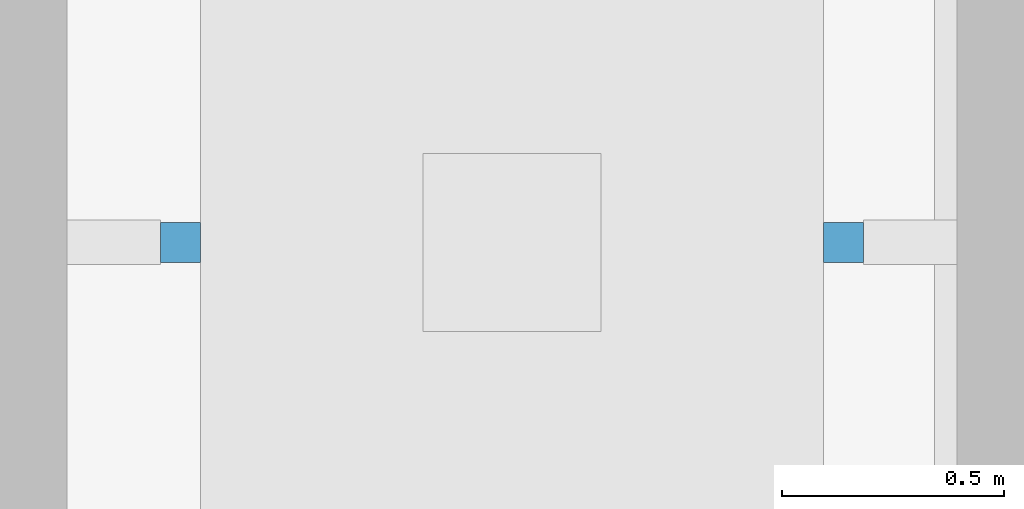
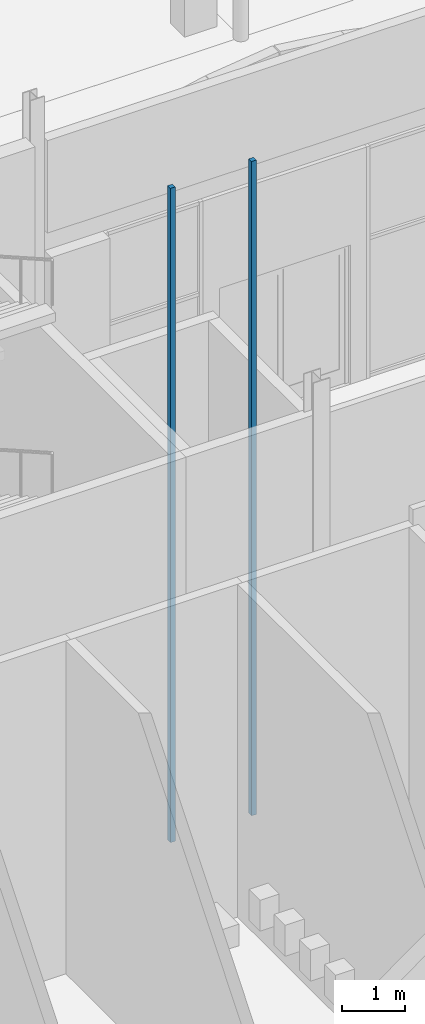
# One storey, part 153 of 250: 2 discrete accessories.
"""IFC4 building model written with IfcOpenShell, lengths in metres."""

import ifcopenshell
import ifcopenshell.guid

model = None  # the IFC model being written
_history = None  # IfcOwnerHistory: only IFC2X3 demands one
_inside = {}  # id of a spatial element -> (the spatial element, [elements in it])
_under = {}  # id of a project, library or spatial element -> (it, [spatial elements below it])
_declared = {}  # id of a project -> (the project, [libraries it declares])
_typed = {}  # id of a type object -> (the type object, [elements of that type])
_made_of = {}  # id of a material, layer set ... -> (it, [elements and type objects made of it])


def new_model(schema):
    """Start an empty IFC model of exactly this schema.

    Asked for "IFC4X3", IfcOpenShell would pick the latest addendum, in which some entities
    have other attributes; the version numbers below select the first issue.
    IFC2X3 requires an IfcOwnerHistory on every rooted entity: one is made here for all.
    """
    global model, _history
    if schema == "IFC4X3":
        model = ifcopenshell.file(schema_version=(4, 3, 0, 0))
    else:
        model = ifcopenshell.file(schema=schema)
    _inside.clear()
    _under.clear()
    _declared.clear()
    _typed.clear()
    _made_of.clear()
    _history = None
    if model.schema == "IFC2X3":
        org = make("IfcOrganization", Name="unknown")
        user = make(
            "IfcPersonAndOrganization",
            ThePerson=make("IfcPerson", FamilyName="unknown"),
            TheOrganization=org,
        )
        app = make(
            "IfcApplication",
            ApplicationDeveloper=org,
            Version="unknown",
            ApplicationFullName="unknown",
            ApplicationIdentifier="unknown",
        )
        _history = make(
            "IfcOwnerHistory",
            OwningUser=user,
            OwningApplication=app,
            ChangeAction="ADDED",
            CreationDate=0,
        )
    return model


def make(cls, **values):
    """One entity of the class cls with the attributes given. An attribute that is None is left unset."""
    return model.create_entity(
        cls, **{name: value for name, value in values.items() if value is not None}
    )


def rooted(cls, **values):
    """An entity with a GlobalId (a new one), such as an element, a storey or a relation."""
    return make(cls, GlobalId=ifcopenshell.guid.new(), OwnerHistory=_history, **values)


def si_unit(unit_type, name, prefix=None):
    """IfcSIUnit, for example si_unit("LENGTHUNIT", "METRE", prefix="MILLI")."""
    return make("IfcSIUnit", UnitType=unit_type, Prefix=prefix, Name=name)


def assignment(units):
    """IfcUnitAssignment: the units of a project."""
    return None if units is None else make("IfcUnitAssignment", Units=units)


def point(xyz):
    """IfcCartesianPoint."""
    return None if xyz is None else make("IfcCartesianPoint", Coordinates=xyz)


def direction(xyz):
    """IfcDirection."""
    return None if xyz is None else make("IfcDirection", DirectionRatios=xyz)


def frame(location, z_axis=None, x_axis=None):
    """IfcAxis2Placement3D, a coordinate frame: its origin and axes. An axis left out is left unset."""
    return make(
        "IfcAxis2Placement3D",
        Location=point(location),
        Axis=direction(z_axis),
        RefDirection=direction(x_axis),
    )


def frame_2d(location, x_axis=None):
    """IfcAxis2Placement2D, a coordinate frame in the plane: its origin and x axis."""
    return make(
        "IfcAxis2Placement2D", Location=point(location), RefDirection=direction(x_axis)
    )


def origin():
    """The frame at (0, 0, 0) with its axes left unset."""
    return frame((0.0, 0.0, 0.0))


def origin_2d():
    """The frame at (0, 0) in the plane with its x axis left unset."""
    return frame_2d((0.0, 0.0))


def place(relative_to, where):
    """IfcLocalPlacement: puts the frame where relative to a parent placement (None: the world)."""
    return make(
        "IfcLocalPlacement", PlacementRelTo=relative_to, RelativePlacement=where
    )


def context(
    kind, dimensions, precision=None, world=None, true_north=None, identifier=None
):
    """IfcGeometricRepresentationContext, for example the 3D "Model" context."""
    return make(
        "IfcGeometricRepresentationContext",
        ContextIdentifier=identifier,
        ContextType=kind,
        CoordinateSpaceDimension=dimensions,
        Precision=precision,
        WorldCoordinateSystem=world,
        TrueNorth=true_north,
    )


def subcontext(parent, identifier, kind, view, scale=None):
    """IfcGeometricRepresentationSubContext, for example "Body" below "Model"."""
    return make(
        "IfcGeometricRepresentationSubContext",
        ContextIdentifier=identifier,
        ContextType=kind,
        ParentContext=parent,
        TargetScale=scale,
        TargetView=view,
    )


def project(units=None, contexts=None):
    """IfcProject with its units and contexts."""
    return rooted(
        "IfcProject",
        Name="project",
        RepresentationContexts=contexts,
        UnitsInContext=assignment(units),
    )


def spatial(cls, under=None, at=None, **own):
    """A site, building, storey or space (cls), placed at a placement, below another one or the project."""
    s = rooted(cls, ObjectPlacement=at, **own)
    if under is not None:
        _under.setdefault(under.id(), (under, []))[1].append(s)
    return s


def profile(cls, at=None, kind="AREA", **sizes):
    """A parametric profile (cls). Its sizes go by their IFC names, for example OverallWidth=200.0."""
    return make(cls, ProfileType=kind, Position=at, **sizes)


def rectangle(**sizes):
    """IfcRectangleProfileDef."""
    return profile("IfcRectangleProfileDef", **sizes)


def extrude(swept, where, along, depth):
    """IfcExtrudedAreaSolid: the profile swept, set in the frame where, extruded along a direction by depth."""
    return make(
        "IfcExtrudedAreaSolid",
        SweptArea=swept,
        Position=where,
        ExtrudedDirection=direction(along),
        Depth=depth,
    )


def shape(context_of_items, identifier, shape_type, items):
    """IfcShapeRepresentation: the items that make up one representation, for example the "Body"."""
    return make(
        "IfcShapeRepresentation",
        ContextOfItems=context_of_items,
        RepresentationIdentifier=identifier,
        RepresentationType=shape_type,
        Items=items,
    )


def material(Name=None, Category=None):
    """IfcMaterial."""
    return make("IfcMaterial", Name=Name, Category=Category)


def made_of(thing, what):
    """Note that an element or type object is made of a material, layer set ...; save() writes the relation."""
    if what is not None:
        _made_of.setdefault(what.id(), (what, []))[1].append(thing)
    return thing


def type_object(cls, material=None, **own):
    """A type object (cls), such as IfcWallType, which elements share."""
    return made_of(rooted(cls, **own), material)


def element(
    cls,
    number,
    at=None,
    inside=None,
    cuts=None,
    type_object=None,
    material=None,
    context=None,
    identifier="Body",
    shape_type=None,
    held_by="IfcProductDefinitionShape",
    body=None,
    shapes=None,
    **own,
):
    """One element of the class cls, such as IfcWall. Its Tag is "e" and its number.

    at: its placement. inside: the storey or other place that contains it. cuts: it is an
    opening in that element (IfcRelVoidsElement). A single representation is given by context,
    identifier, shape_type and body (its items); several are given by shapes. held_by: the class
    of the entity that holds the representations. save() writes the other relations.
    """
    e = rooted(cls, Tag="e%d" % number, ObjectPlacement=at, **own)
    if body is not None:
        shapes = [shape(context, identifier, shape_type, body)]
    if shapes is not None:
        e.Representation = make(held_by, Representations=shapes)
    if inside is not None:
        _inside.setdefault(inside.id(), (inside, []))[1].append(e)
    if cuts is not None:
        rooted(
            "IfcRelVoidsElement", RelatingBuildingElement=cuts, RelatedOpeningElement=e
        )
    if type_object is not None:
        _typed.setdefault(type_object.id(), (type_object, []))[1].append(e)
    return made_of(e, material)


def aggregate(whole, parts):
    """IfcRelAggregates: a whole, such as a stair, and the parts it consists of."""
    return rooted("IfcRelAggregates", RelatingObject=whole, RelatedObjects=parts)


def save(model, path):
    """Write the relations noted so far, then the file.

    IfcRelAggregates (storeys below a building ...), IfcRelContainedInSpatialStructure (elements
    in a storey), IfcRelDefinesByType, IfcRelAssociatesMaterial and IfcRelDeclares: one each for
    every whole, place, type object, material and project.
    """
    for whole, parts in _under.values():
        aggregate(whole, parts)
    for where, things in _inside.values():
        rooted(
            "IfcRelContainedInSpatialStructure",
            RelatedElements=things,
            RelatingStructure=where,
        )
    for kind, things in _typed.values():
        rooted("IfcRelDefinesByType", RelatedObjects=things, RelatingType=kind)
    for what, things in _made_of.values():
        rooted("IfcRelAssociatesMaterial", RelatedObjects=things, RelatingMaterial=what)
    for by, libraries in _declared.values():
        rooted("IfcRelDeclares", RelatingContext=by, RelatedDefinitions=libraries)
    model.write(path)


model = new_model("IFC4")

# Units and contexts
model_context = context("Model", 3, precision=1e-05, world=origin(), true_north=direction((0.0, 1.0)))
body_context = subcontext(model_context, "Body", "Model", "MODEL_VIEW")
ifc_project = project(units=[si_unit("LENGTHUNIT", "METRE"), si_unit("AREAUNIT", "SQUARE_METRE"), si_unit("VOLUMEUNIT", "CUBIC_METRE"), si_unit("PLANEANGLEUNIT", "RADIAN"), si_unit("MASSUNIT", "GRAM", prefix="KILO")], contexts=[model_context])

# Site, building, storey
site_placement = place(None, origin())
site = spatial("IfcSite", under=ifc_project, at=site_placement, CompositionType="ELEMENT")
building_placement = place(site_placement, origin())
building = spatial("IfcBuilding", under=site, at=building_placement, Name="Baradari Gate Terminus", CompositionType="ELEMENT")
storey_placement = place(building_placement, origin())
storey = spatial("IfcBuildingStorey", under=building, at=storey_placement, Name="L00", CompositionType="ELEMENT", Elevation=0.0)

# Discrete accessories
ifc_material = material(Name="Steel S355", Category="steel")
discrete_accessory_type = type_object("IfcDiscreteAccessoryType", Name="Lift guide rail GR-L1 90x90", PredefinedType="BRACKET", material=ifc_material)
for number, where, z_axis, x_axis, name in (
    (1, (124.054931640625, 100.25, -1.60009765625), (0.0, 0.0, 1.0), (1.0, 0.0, 0.0), "Lift guide rail LH2 1"),
    (2, (125.544921875, 100.25, -1.60009765625), (0.0, 0.0, 1.0), (1.0, 0.0, 0.0), "Lift guide rail LH2 2"),
):
    element("IfcDiscreteAccessory", number, at=place(storey_placement, frame(where, z_axis=z_axis, x_axis=x_axis)), inside=storey, type_object=discrete_accessory_type, Name=name, PredefinedType="BRACKET", context=body_context, shape_type="SweptSolid", body=[
        extrude(rectangle(XDim=0.090087890625, YDim=0.090087890625, at=origin_2d()), origin(), (0.0, 0.0, 1.0), 12.699951171875),
    ])

save(model, "model.ifc")
